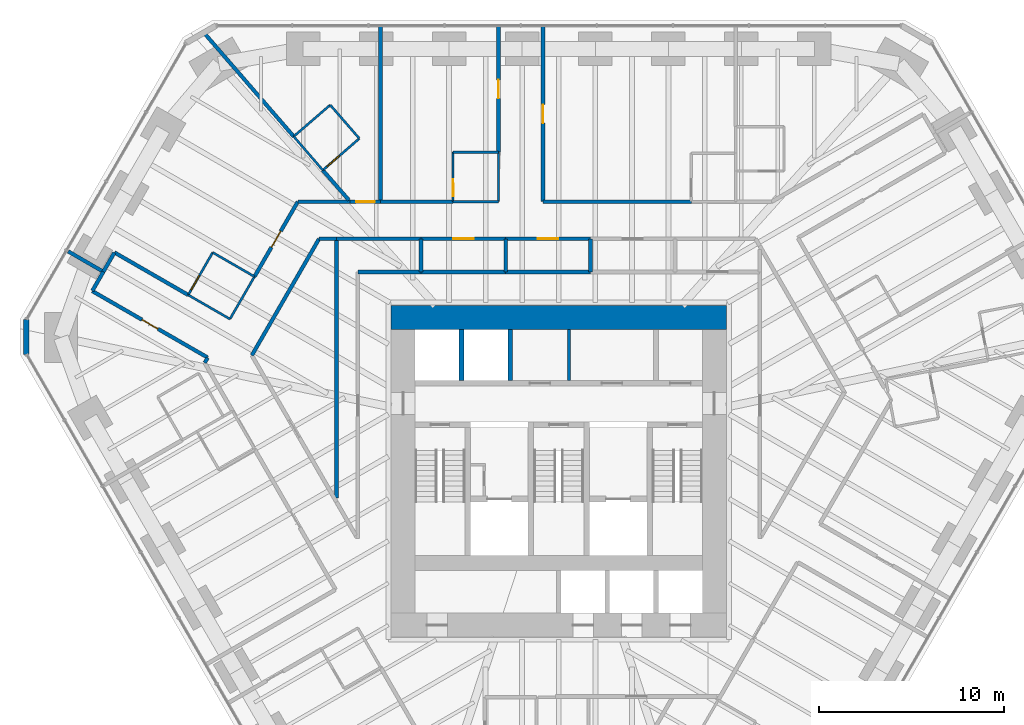
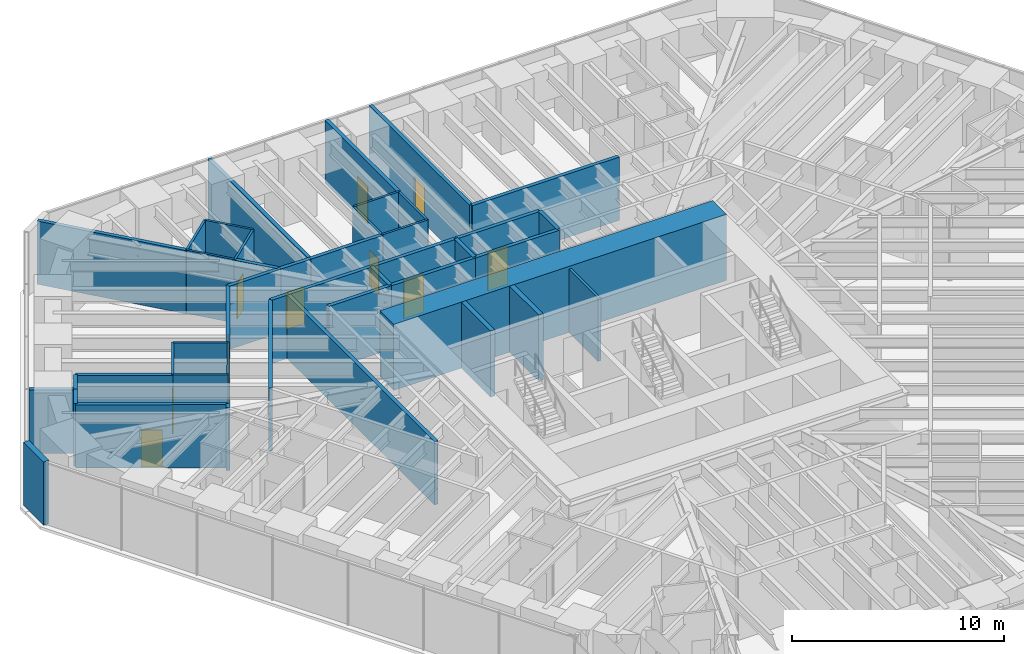
# One storey, part 14 of 17: 45 walls, 10 doors, 10 openings.
"""IFC4 building model written with IfcOpenShell, lengths in metres."""

from ifc_helpers import new_model, si_unit, direction, frame, frame_2d, origin, place, context, subcontext, project, spatial, rectangle, extrude, material, layer, layer_set, type_object, element, fill, save


model = new_model("IFC4")

# Units and contexts
model_context = context("Model", 3, precision=1e-05, world=origin(), true_north=direction((0.0, 1.0)))
body_context = subcontext(model_context, "Body", "Model", "MODEL_VIEW")
ifc_project = project(units=[si_unit("LENGTHUNIT", "METRE"), si_unit("AREAUNIT", "SQUARE_METRE"), si_unit("VOLUMEUNIT", "CUBIC_METRE"), si_unit("PLANEANGLEUNIT", "RADIAN"), si_unit("MASSUNIT", "GRAM", prefix="KILO")], contexts=[model_context])

# Site, building, storey
site_placement = place(None, origin())
site = spatial("IfcSite", under=ifc_project, at=site_placement, CompositionType="ELEMENT")
building_placement = place(site_placement, origin())
building = spatial("IfcBuilding", under=site, at=building_placement, Name="Sandreach Pilgrim Tower", CompositionType="ELEMENT")
storey_placement = place(building_placement, frame((0.0, 0.0, 142.39990234375)))
storey = spatial("IfcBuildingStorey", under=building, at=storey_placement, Name="L35", CompositionType="ELEMENT", Elevation=142.39990234375)

# Walls
ifc_material_1 = material(Name="Gypsum board on steel studs", Category="steel")
ifc_layer_1 = layer(ifc_material_1, 0.14990234375)
ifc_layer_set_1 = layer_set([ifc_layer_1], Name="Back of house wall 150")
wall_type_1 = type_object("IfcWallType", Name="Back of house wall 150", PredefinedType="PARTITIONING", material=ifc_layer_set_1)
wall_1_placement = place(storey_placement, frame((0.550048828125, 3.35009765625, 0.0), z_axis=(0.0, 0.0, 1.0), x_axis=(0.0, 1.0, 0.0)))
element("IfcWall", 1, at=wall_1_placement, inside=storey, type_object=wall_type_1, Name="Core room partition L35 1", PredefinedType="PARTITIONING", context=body_context, shape_type="SweptSolid", body=[
    extrude(rectangle(XDim=2.75, YDim=0.14990234375, at=frame_2d((1.375, 0.0))), origin(), (0.0, 0.0, 1.0), 3.64013671875),
])
ifc_material_2 = material(Name="Moisture-resistant gypsum board on steel studs", Category="steel")
ifc_layer_2 = layer(ifc_material_2, 0.1201171875)
ifc_layer_set_2 = layer_set([ifc_layer_2], Name="Bathroom partition 120")
wall_type_2 = type_object("IfcWallType", Name="Bathroom partition 120", PredefinedType="PARTITIONING", material=ifc_layer_set_2)
wall_2_placement = place(storey_placement, frame((-19.991455078125, 7.95751953125, 0.0), z_axis=(0.0, 0.0, 1.0), x_axis=(0.866404475641, -0.499342852747, 0.0)))
element("IfcWall", 2, at=wall_2_placement, inside=storey, type_object=wall_type_2, Name="Bathroom partition L35-009", PredefinedType="PARTITIONING", context=body_context, shape_type="SweptSolid", body=[
    extrude(rectangle(XDim=2.5986328125, YDim=0.1201171875, at=frame_2d((1.29931640625, 0.0))), origin(), (0.0, 0.0, 1.0), 3.64013671875),
])

# Wall, opening, door
wall_3_placement = place(storey_placement, frame((-18.669921875, 10.25, 0.0), z_axis=(0.0, 0.0, 1.0), x_axis=(-0.499407914056, -0.866366975004, 0.0)))
wall_3 = element("IfcWall", 3, at=wall_3_placement, inside=storey, type_object=wall_type_2, Name="Bathroom partition L35-016", PredefinedType="PARTITIONING", context=body_context, shape_type="SweptSolid", body=[
    extrude(rectangle(XDim=2.643310546875, YDim=0.1201171875, at=frame_2d((1.32177734375, 0.0))), origin(), (0.0, 0.0, 1.0), 3.64013671875),
])
opening_1_placement = place(wall_3_placement, frame((1.443115234375, 0.0, 0.0)))
opening_1 = element("IfcOpeningElement", 4, at=opening_1_placement, cuts=wall_3, Name="Opening D09-15B", PredefinedType="OPENING", context=body_context, shape_type="SweptSolid", body=[
    extrude(rectangle(XDim=0.89990234375, YDim=2.030029296875, at=frame_2d((0.449951171875, 1.01513671875))), frame((0.0, 0.06005859375, 0.0), z_axis=(0.0, -1.0, 0.0), x_axis=(1.0, 0.0, 0.0)), (0.0, 0.0, 1.0), 0.1201171875),
])
ifc_material_3 = material(Name="Timber door, steel frame", Category="steel")
door_type_1 = type_object("IfcDoorType", Name="Bathroom door", OperationType="SINGLE_SWING_LEFT", PredefinedType="DOOR", material=ifc_material_3)
door_1_placement = place(opening_1_placement, origin())
door_1 = element("IfcDoor", 5, at=door_1_placement, inside=storey, type_object=door_type_1, Name="Door 3515B", OperationType="SINGLE_SWING_RIGHT", OverallHeight=2.030029296875, OverallWidth=0.89990234375, PredefinedType="DOOR", context=body_context, shape_type="SweptSolid", body=[
    extrude(rectangle(XDim=0.89990234375, YDim=2.030029296875, at=frame_2d((0.449951171875, 1.01513671875))), frame((0.0, 0.02490234375, 0.0), z_axis=(0.0, -1.0, 0.0), x_axis=(1.0, 0.0, 0.0)), (0.0, 0.0, 1.0), 0.050048828125),
])
fill(opening_1, door_1)

# Walls
wall_4_placement = place(storey_placement, frame((-17.739990234375, 6.659912109375, 0.0), z_axis=(0.0, 0.0, 1.0), x_axis=(0.500519174073, 0.865725450929, 0.0)))
element("IfcWall", 6, at=wall_4_placement, inside=storey, type_object=wall_type_2, Name="Bathroom partition L35-021", PredefinedType="PARTITIONING", context=body_context, shape_type="SweptSolid", body=[
    extrude(rectangle(XDim=2.643310546875, YDim=0.1201171875, at=frame_2d((1.32177734375, 0.0))), origin(), (0.0, 0.0, 1.0), 3.64013671875),
])
wall_5_placement = place(storey_placement, frame((-16.419921875, 8.949951171875, 0.0), z_axis=(0.0, 0.0, 1.0), x_axis=(-0.865856933682, 0.500291685314, 0.0)))
element("IfcWall", 7, at=wall_5_placement, inside=storey, type_object=wall_type_2, Name="Bathroom partition L35-024", PredefinedType="PARTITIONING", context=body_context, shape_type="SweptSolid", body=[
    extrude(rectangle(XDim=2.5986328125, YDim=0.1201171875, at=frame_2d((1.29931640625, 0.0))), origin(), (0.0, 0.0, 1.0), 3.64013671875),
])
wall_6_placement = place(storey_placement, frame((-14.300048828125, 16.510009765625, 0.0), z_axis=(0.0, 0.0, 1.0), x_axis=(0.653188728136, -0.757195143563, 0.0)))
element("IfcWall", 8, at=wall_6_placement, inside=storey, type_object=wall_type_2, Name="Bathroom partition L35-027", PredefinedType="PARTITIONING", context=body_context, shape_type="SweptSolid", body=[
    extrude(rectangle(XDim=2.40380859375, YDim=0.1201171875, at=frame_2d((1.201904296875, 0.0))), origin(), (0.0, 0.0, 1.0), 3.64013671875),
])

# Wall, opening, door
wall_7_placement = place(storey_placement, frame((-12.72998046875, 14.68994140625, 0.0), z_axis=(0.0, 0.0, 1.0), x_axis=(0.755185511235, 0.655511131576, 0.0)))
wall_7 = element("IfcWall", 9, at=wall_7_placement, inside=storey, type_object=wall_type_2, Name="Bathroom partition L35-033", PredefinedType="PARTITIONING", context=body_context, shape_type="SweptSolid", body=[
    extrude(rectangle(XDim=2.608642578125, YDim=0.1201171875, at=frame_2d((1.30419921875, 0.0))), origin(), (0.0, 0.0, 1.0), 3.64013671875),
])
opening_2_placement = place(wall_7_placement, frame((0.300048828125, 0.0, 0.0)))
opening_2 = element("IfcOpeningElement", 10, at=opening_2_placement, cuts=wall_7, Name="Opening D09-01B", PredefinedType="OPENING", context=body_context, shape_type="SweptSolid", body=[
    extrude(rectangle(XDim=0.89990234375, YDim=2.030029296875, at=frame_2d((0.449951171875, 1.01513671875))), frame((0.0, 0.06005859375, 0.0), z_axis=(0.0, -1.0, 0.0), x_axis=(1.0, 0.0, 0.0)), (0.0, 0.0, 1.0), 0.1201171875),
])
door_2_placement = place(opening_2_placement, origin())
door_2 = element("IfcDoor", 11, at=door_2_placement, inside=storey, type_object=door_type_1, Name="Door 3501B", OperationType="SINGLE_SWING_LEFT", OverallHeight=2.030029296875, OverallWidth=0.89990234375, PredefinedType="DOOR", context=body_context, shape_type="SweptSolid", body=[
    extrude(rectangle(XDim=0.89990234375, YDim=2.030029296875, at=frame_2d((0.449951171875, 1.01513671875))), frame((0.0, 0.02490234375, 0.0), z_axis=(0.0, -1.0, 0.0), x_axis=(1.0, 0.0, 0.0)), (0.0, 0.0, 1.0), 0.050048828125),
])
fill(opening_2, door_2)

# Walls
wall_8_placement = place(storey_placement, frame((-12.330078125, 18.2099609375, 0.0), z_axis=(0.0, 0.0, 1.0), x_axis=(-0.757086659925, -0.653314464377, 0.0)))
element("IfcWall", 12, at=wall_8_placement, inside=storey, type_object=wall_type_2, Name="Bathroom partition L35-034", PredefinedType="PARTITIONING", context=body_context, shape_type="SweptSolid", body=[
    extrude(rectangle(XDim=2.60205078125, YDim=0.1201171875, at=frame_2d((1.301025390625, 0.0))), origin(), (0.0, 0.0, 1.0), 3.64013671875),
])
wall_9_placement = place(storey_placement, frame((-10.760009765625, 16.39990234375, 0.0), z_axis=(0.0, 0.0, 1.0), x_axis=(-0.655252439976, 0.755409981338, 0.0)))
element("IfcWall", 13, at=wall_9_placement, inside=storey, type_object=wall_type_2, Name="Bathroom partition L35-044", PredefinedType="PARTITIONING", context=body_context, shape_type="SweptSolid", body=[
    extrude(rectangle(XDim=2.396240234375, YDim=0.1201171875, at=frame_2d((1.1982421875, 0.0))), origin(), (0.0, 0.0, 1.0), 3.64013671875),
])

# Wall, opening, door
wall_10_placement = place(storey_placement, frame((-5.7099609375, 15.659912109375, 0.0), z_axis=(0.0, 0.0, 1.0), x_axis=(0.003749059241, -0.999992972253, 0.0)))
wall_10 = element("IfcWall", 14, at=wall_10_placement, inside=storey, type_object=wall_type_2, Name="Bathroom partition L35-059", PredefinedType="PARTITIONING", context=body_context, shape_type="SweptSolid", body=[
    extrude(rectangle(XDim=2.669921875, YDim=0.1201171875, at=frame_2d((1.3349609375, 0.0))), origin(), (0.0, 0.0, 1.0), 3.64013671875),
])
opening_3_placement = place(wall_10_placement, frame((1.469970703125, 0.0, 0.0)))
opening_3 = element("IfcOpeningElement", 15, at=opening_3_placement, cuts=wall_10, Name="Opening D09-02B", PredefinedType="OPENING", context=body_context, shape_type="SweptSolid", body=[
    extrude(rectangle(XDim=0.89990234375, YDim=2.030029296875, at=frame_2d((0.449951171875, 1.01513671875))), frame((0.0, 0.06005859375, 0.0), z_axis=(0.0, -1.0, 0.0), x_axis=(1.0, 0.0, 0.0)), (0.0, 0.0, 1.0), 0.1201171875),
])
door_3_placement = place(opening_3_placement, origin())
door_3 = element("IfcDoor", 16, at=door_3_placement, inside=storey, type_object=door_type_1, Name="Door 3502B", OperationType="SINGLE_SWING_RIGHT", OverallHeight=2.030029296875, OverallWidth=0.89990234375, PredefinedType="DOOR", context=body_context, shape_type="SweptSolid", body=[
    extrude(rectangle(XDim=0.89990234375, YDim=2.030029296875, at=frame_2d((0.449951171875, 1.01513671875))), frame((0.0, 0.02490234375, 0.0), z_axis=(0.0, -1.0, 0.0), x_axis=(1.0, 0.0, 0.0)), (0.0, 0.0, 1.0), 0.050048828125),
])
fill(opening_3, door_3)

# Walls
wall_11_placement = place(storey_placement, frame((-3.25, 12.989990234375, 0.0), z_axis=(0.0, 0.0, 1.0), x_axis=(-1.0, 0.0, 0.0)))
element("IfcWall", 17, at=wall_11_placement, inside=storey, type_object=wall_type_2, Name="Bathroom partition L35-065", PredefinedType="PARTITIONING", context=body_context, shape_type="SweptSolid", body=[
    extrude(rectangle(XDim=2.449951171875, YDim=0.1201171875, at=frame_2d((1.22509765625, 0.0))), origin(), (0.0, 0.0, 1.0), 3.64013671875),
])
wall_12_placement = place(storey_placement, frame((-3.25, 15.659912109375, 0.0), z_axis=(0.0, 0.0, 1.0), x_axis=(-1.0, 0.0, 0.0)))
element("IfcWall", 18, at=wall_12_placement, inside=storey, type_object=wall_type_2, Name="Bathroom partition L35-066", PredefinedType="PARTITIONING", context=body_context, shape_type="SweptSolid", body=[
    extrude(rectangle(XDim=2.4599609375, YDim=0.1201171875, at=frame_2d((1.22998046875, 0.0))), origin(), (0.0, 0.0, 1.0), 3.64013671875),
])
wall_13_placement = place(storey_placement, frame((-3.25, 15.659912109375, 0.0), z_axis=(0.0, 0.0, 1.0), x_axis=(0.0, -1.0, 0.0)))
element("IfcWall", 19, at=wall_13_placement, inside=storey, type_object=wall_type_2, Name="Bathroom partition L35-067", PredefinedType="PARTITIONING", context=body_context, shape_type="SweptSolid", body=[
    extrude(rectangle(XDim=2.669921875, YDim=0.1201171875, at=frame_2d((1.3349609375, 0.0))), origin(), (0.0, 0.0, 1.0), 3.64013671875),
])
ifc_material_4 = material(Name="Concrete 10000 psi", Category="concrete")
ifc_layer_3 = layer(ifc_material_4, 1.300048828125)
ifc_layer_set_3 = layer_set([ifc_layer_3], Name="Core wall 1300")
wall_type_3 = type_object("IfcWallType", Name="Core wall 1300", PredefinedType="SHEAR", material=ifc_layer_set_3)
wall_14_placement = place(storey_placement, frame((-9.050048828125, 6.75, 0.0), z_axis=(0.0, 0.0, 1.0), x_axis=(1.0, 0.0, 0.0)))
element("IfcWall", 20, at=wall_14_placement, inside=storey, type_object=wall_type_3, Name="Core wall N L35", PredefinedType="SHEAR", context=body_context, shape_type="SweptSolid", body=[
    extrude(rectangle(XDim=18.10009765625, YDim=1.300048828125, at=frame_2d((9.050048828125, 0.0))), origin(), (0.0, 0.0, 1.0), 3.800048828125),
])

# Wall, opening, door
ifc_material_5 = material(Name="Gypsum board on steel studs, two layers each side", Category="steel")
ifc_layer_4 = layer(ifc_material_5, 0.199951171875)
ifc_layer_set_4 = layer_set([ifc_layer_4], Name="Corridor wall 200")
wall_type_4 = type_object("IfcWallType", Name="Corridor wall 200", PredefinedType="PARTITIONING", material=ifc_layer_set_4)
wall_15_placement = place(storey_placement, frame((-25.169921875, 8.169921875, 0.0), z_axis=(0.0, 0.0, 1.0), x_axis=(0.866448885678, -0.499265789443, 0.0)))
wall_15 = element("IfcWall", 21, at=wall_15_placement, inside=storey, type_object=wall_type_4, Name="Corridor wall L35-002", PredefinedType="PARTITIONING", context=body_context, shape_type="SweptSolid", body=[
    extrude(rectangle(XDim=7.190185546875, YDim=0.199951171875, at=frame_2d((3.59521484375, 0.0))), origin(), (0.0, 0.0, 1.0), 3.64013671875),
])
opening_4_placement = place(wall_15_placement, frame((3.09521484375, 0.0, 0.0)))
opening_4 = element("IfcOpeningElement", 22, at=opening_4_placement, cuts=wall_15, Name="Opening D10-14", PredefinedType="OPENING", context=body_context, shape_type="SweptSolid", body=[
    extrude(rectangle(XDim=1.0, YDim=2.1298828125, at=frame_2d((0.5, 1.06494140625))), frame((0.0, 0.10009765625, 0.0), z_axis=(0.0, -1.0, 0.0), x_axis=(1.0, 0.0, 0.0)), (0.0, 0.0, 1.0), 0.199951171875),
])
ifc_material_6 = material(Name="Steel door and frame", Category="steel")
door_type_2 = type_object("IfcDoorType", Name="Guest room entry door", OperationType="SINGLE_SWING_LEFT", PredefinedType="DOOR", material=ifc_material_6)
door_4_placement = place(opening_4_placement, origin())
door_4 = element("IfcDoor", 23, at=door_4_placement, inside=storey, type_object=door_type_2, Name="Door 3514", OperationType="SINGLE_SWING_LEFT", OverallHeight=2.1298828125, OverallWidth=1.0, PredefinedType="DOOR", context=body_context, shape_type="SweptSolid", body=[
    extrude(rectangle(XDim=1.0, YDim=2.1298828125, at=frame_2d((0.5, 1.06494140625))), frame((0.0, 0.02490234375, 0.0), z_axis=(0.0, -1.0, 0.0), x_axis=(1.0, 0.0, 0.0)), (0.0, 0.0, 1.0), 0.050048828125),
])
fill(opening_4, door_4)

# Walls
wall_16_placement = place(storey_placement, frame((-25.16259765625, 8.18310546875, 0.0), z_axis=(0.0, 0.0, 1.0), x_axis=(0.499793761865, 0.866144442689, 0.0)))
element("IfcWall", 24, at=wall_16_placement, inside=storey, type_object=wall_type_4, Name="Corridor wall L35-003", PredefinedType="PARTITIONING", context=body_context, shape_type="SweptSolid", body=[
    extrude(rectangle(XDim=1.185546875, YDim=0.199951171875, at=frame_2d((0.5927734375, 0.0))), origin(), (0.0, 0.0, 1.0), 3.64013671875),
])
wall_17_placement = place(storey_placement, frame((-24.570068359375, 9.2099609375, 0.0), z_axis=(0.0, 0.0, 1.0), x_axis=(0.499734288277, 0.866178758179, 0.0)))
element("IfcWall", 25, at=wall_17_placement, inside=storey, type_object=wall_type_4, Name="Corridor wall L35-004", PredefinedType="PARTITIONING", context=body_context, shape_type="SweptSolid", body=[
    extrude(rectangle(XDim=1.190673828125, YDim=0.199951171875, at=frame_2d((0.59521484375, 0.0))), origin(), (0.0, 0.0, 1.0), 3.64013671875),
])
wall_18_placement = place(storey_placement, frame((-23.969970703125, 10.25, 0.0), z_axis=(0.0, 0.0, 1.0), x_axis=(0.86645101645, -0.499262091585, 0.0)))
element("IfcWall", 26, at=wall_18_placement, inside=storey, type_object=wall_type_4, Name="Corridor wall L35-006", PredefinedType="PARTITIONING", context=body_context, shape_type="SweptSolid", body=[
    extrude(rectangle(XDim=4.591796875, YDim=0.199951171875, at=frame_2d((2.2958984375, 0.0))), origin(), (0.0, 0.0, 1.0), 3.64013671875),
])
wall_19_placement = place(storey_placement, frame((-18.945068359375, 4.5712890625, 0.0), z_axis=(0.0, 0.0, 1.0), x_axis=(-0.496223092577, -0.868195048588, 0.0)))
element("IfcWall", 27, at=wall_19_placement, inside=storey, type_object=wall_type_4, Name="Corridor wall L35-015", PredefinedType="PARTITIONING", context=body_context, shape_type="SweptSolid", body=[
    extrude(rectangle(XDim=0.3125, YDim=0.199951171875, at=frame_2d((0.15625, 0.0))), origin(), (0.0, 0.0, 1.0), 3.64013671875),
])
wall_20_placement = place(storey_placement, frame((-16.56005859375, 4.699951171875, 0.0), z_axis=(0.0, 0.0, 1.0), x_axis=(0.4998524389, 0.866110581465, 0.0)))
element("IfcWall", 28, at=wall_20_placement, inside=storey, type_object=wall_type_4, Name="Corridor wall L35-023", PredefinedType="PARTITIONING", context=body_context, shape_type="SweptSolid", body=[
    extrude(rectangle(XDim=7.262451171875, YDim=0.199951171875, at=frame_2d((3.63134765625, 0.0))), origin(), (0.0, 0.0, 1.0), 3.64013671875),
])

# Wall, opening, door
wall_21_placement = place(storey_placement, frame((-16.4169921875, 8.9482421875, 0.0), z_axis=(0.0, 0.0, 1.0), x_axis=(0.500547653499, 0.865708984923, 0.0)))
wall_21 = element("IfcWall", 29, at=wall_21_placement, inside=storey, type_object=wall_type_4, Name="Corridor wall L35-025", PredefinedType="PARTITIONING", context=body_context, shape_type="SweptSolid", body=[
    extrude(rectangle(XDim=4.668701171875, YDim=0.199951171875, at=frame_2d((2.33447265625, 0.0))), origin(), (0.0, 0.0, 1.0), 3.64013671875),
])
opening_5_placement = place(wall_21_placement, frame((1.834228515625, 0.0, 0.0)))
opening_5 = element("IfcOpeningElement", 30, at=opening_5_placement, cuts=wall_21, Name="Opening D10-15", PredefinedType="OPENING", context=body_context, shape_type="SweptSolid", body=[
    extrude(rectangle(XDim=1.0, YDim=2.1298828125, at=frame_2d((0.5, 1.06494140625))), frame((0.0, 0.10009765625, 0.0), z_axis=(0.0, -1.0, 0.0), x_axis=(1.0, 0.0, 0.0)), (0.0, 0.0, 1.0), 0.199951171875),
])
door_5_placement = place(opening_5_placement, origin())
door_5 = element("IfcDoor", 31, at=door_5_placement, inside=storey, type_object=door_type_2, Name="Door 3515", OperationType="SINGLE_SWING_LEFT", OverallHeight=2.1298828125, OverallWidth=1.0, PredefinedType="DOOR", context=body_context, shape_type="SweptSolid", body=[
    extrude(rectangle(XDim=1.0, YDim=2.1298828125, at=frame_2d((0.5, 1.06494140625))), frame((0.0, 0.02490234375, 0.0), z_axis=(0.0, -1.0, 0.0), x_axis=(1.0, 0.0, 0.0)), (0.0, 0.0, 1.0), 0.050048828125),
])
fill(opening_5, door_5)

# Walls
wall_22_placement = place(storey_placement, frame((-12.929931640625, 10.989990234375, 0.0), z_axis=(0.0, 0.0, 1.0), x_axis=(1.0, 0.0, 0.0)))
element("IfcWall", 32, at=wall_22_placement, inside=storey, type_object=wall_type_4, Name="Corridor wall L35-029", PredefinedType="PARTITIONING", context=body_context, shape_type="SweptSolid", body=[
    extrude(rectangle(XDim=0.93994140625, YDim=0.199951171875, at=frame_2d((0.469970703125, 0.0))), origin(), (0.0, 0.0, 1.0), 3.64013671875),
])
wall_23_placement = place(storey_placement, frame((-11.989990234375, 10.989990234375, 0.0), z_axis=(0.0, 0.0, 1.0), x_axis=(1.0, 0.0, 0.0)))
element("IfcWall", 33, at=wall_23_placement, inside=storey, type_object=wall_type_4, Name="Corridor wall L35-038", PredefinedType="PARTITIONING", context=body_context, shape_type="SweptSolid", body=[
    extrude(rectangle(XDim=4.56005859375, YDim=0.199951171875, at=frame_2d((2.280029296875, 0.0))), origin(), (0.0, 0.0, 1.0), 3.64013671875),
])
wall_24_placement = place(storey_placement, frame((-11.25, 12.989990234375, 0.0), z_axis=(0.0, 0.0, 1.0), x_axis=(-1.0, 0.0, 0.0)))
element("IfcWall", 34, at=wall_24_placement, inside=storey, type_object=wall_type_4, Name="Corridor wall L35-040", PredefinedType="PARTITIONING", context=body_context, shape_type="SweptSolid", body=[
    extrude(rectangle(XDim=2.830078125, YDim=0.199951171875, at=frame_2d((1.4150390625, 0.0))), origin(), (0.0, 0.0, 1.0), 3.64013671875),
])

# Wall, opening, door
wall_25_placement = place(storey_placement, frame((-9.6201171875, 12.989990234375, 0.0), z_axis=(0.0, 0.0, 1.0), x_axis=(-1.0, 0.0, 0.0)))
wall_25 = element("IfcWall", 35, at=wall_25_placement, inside=storey, type_object=wall_type_4, Name="Corridor wall L35-046", PredefinedType="PARTITIONING", context=body_context, shape_type="SweptSolid", body=[
    extrude(rectangle(XDim=1.6298828125, YDim=0.199951171875, at=frame_2d((0.81494140625, 0.0))), origin(), (0.0, 0.0, 1.0), 3.64013671875),
])
opening_6_placement = place(wall_25_placement, frame((0.31494140625, 0.0, 0.0)))
opening_6 = element("IfcOpeningElement", 36, at=opening_6_placement, cuts=wall_25, Name="Opening D10-01", PredefinedType="OPENING", context=body_context, shape_type="SweptSolid", body=[
    extrude(rectangle(XDim=1.0, YDim=2.1298828125, at=frame_2d((0.5, 1.06494140625))), frame((0.0, 0.10009765625, 0.0), z_axis=(0.0, -1.0, 0.0), x_axis=(1.0, 0.0, 0.0)), (0.0, 0.0, 1.0), 0.199951171875),
])
door_6_placement = place(opening_6_placement, origin())
door_6 = element("IfcDoor", 37, at=door_6_placement, inside=storey, type_object=door_type_2, Name="Door 3501", OperationType="SINGLE_SWING_LEFT", OverallHeight=2.1298828125, OverallWidth=1.0, PredefinedType="DOOR", context=body_context, shape_type="SweptSolid", body=[
    extrude(rectangle(XDim=1.0, YDim=2.1298828125, at=frame_2d((0.5, 1.06494140625))), frame((0.0, 0.02490234375, 0.0), z_axis=(0.0, -1.0, 0.0), x_axis=(1.0, 0.0, 0.0)), (0.0, 0.0, 1.0), 0.050048828125),
])
fill(opening_6, door_6)

# Wall
wall_26_placement = place(storey_placement, frame((-7.429931640625, 9.199951171875, 0.0), z_axis=(0.0, 0.0, 1.0), x_axis=(-1.0, 0.0, 0.0)))
element("IfcWall", 38, at=wall_26_placement, inside=storey, type_object=wall_type_4, Name="Corridor wall L35-052", PredefinedType="PARTITIONING", context=body_context, shape_type="SweptSolid", body=[
    extrude(rectangle(XDim=3.41015625, YDim=0.199951171875, at=frame_2d((1.705078125, 0.0))), origin(), (0.0, 0.0, 1.0), 3.64013671875),
])

# Wall, opening, door
wall_27_placement = place(storey_placement, frame((-7.429931640625, 10.989990234375, 0.0), z_axis=(0.0, 0.0, 1.0), x_axis=(1.0, 0.0, 0.0)))
wall_27 = element("IfcWall", 39, at=wall_27_placement, inside=storey, type_object=wall_type_4, Name="Corridor wall L35-054", PredefinedType="PARTITIONING", context=body_context, shape_type="SweptSolid", body=[
    extrude(rectangle(XDim=4.56982421875, YDim=0.199951171875, at=frame_2d((2.284912109375, 0.0))), origin(), (0.0, 0.0, 1.0), 3.64013671875),
])
opening_7_placement = place(wall_27_placement, frame((1.735107421875, 0.0, 0.0)))
opening_7 = element("IfcOpeningElement", 40, at=opening_7_placement, cuts=wall_27, Name="Opening D11H-M03", PredefinedType="OPENING", context=body_context, shape_type="SweptSolid", body=[
    extrude(rectangle(XDim=1.10009765625, YDim=2.199951171875, at=frame_2d((0.550048828125, 1.10009765625))), frame((0.0, 0.10009765625, 0.0), z_axis=(0.0, -1.0, 0.0), x_axis=(1.0, 0.0, 0.0)), (0.0, 0.0, 1.0), 0.199951171875),
])
ifc_material_7 = material(Name="Steel door and frame", Category="steel")
door_type_3 = type_object("IfcDoorType", Name="Back of house door", OperationType="SINGLE_SWING_LEFT", PredefinedType="DOOR", material=ifc_material_7)
door_7_placement = place(opening_7_placement, origin())
door_7 = element("IfcDoor", 41, at=door_7_placement, inside=storey, type_object=door_type_3, Name="Door 35M03", OperationType="SINGLE_SWING_LEFT", OverallHeight=2.199951171875, OverallWidth=1.10009765625, PredefinedType="DOOR", context=body_context, shape_type="SweptSolid", body=[
    extrude(rectangle(XDim=1.10009765625, YDim=2.199951171875, at=frame_2d((0.550048828125, 1.10009765625))), frame((0.0, 0.02490234375, 0.0), z_axis=(0.0, -1.0, 0.0), x_axis=(1.0, 0.0, 0.0)), (0.0, 0.0, 1.0), 0.050048828125),
])
fill(opening_7, door_7)

# Wall
wall_28_placement = place(storey_placement, frame((-5.699951171875, 12.989990234375, 0.0), z_axis=(0.0, 0.0, 1.0), x_axis=(-1.0, 0.0, 0.0)))
element("IfcWall", 42, at=wall_28_placement, inside=storey, type_object=wall_type_4, Name="Corridor wall L35-060", PredefinedType="PARTITIONING", context=body_context, shape_type="SweptSolid", body=[
    extrude(rectangle(XDim=3.920166015625, YDim=0.199951171875, at=frame_2d((1.9599609375, 0.0))), origin(), (0.0, 0.0, 1.0), 3.64013671875),
])

# Wall, opening, door
wall_29_placement = place(storey_placement, frame((-3.25, 22.4599609375, 0.0), z_axis=(0.0, 0.0, 1.0), x_axis=(0.0, -1.0, 0.0)))
wall_29 = element("IfcWall", 43, at=wall_29_placement, inside=storey, type_object=wall_type_4, Name="Corridor wall L35-068", PredefinedType="PARTITIONING", context=body_context, shape_type="SweptSolid", body=[
    extrude(rectangle(XDim=6.800048828125, YDim=0.199951171875, at=frame_2d((3.39990234375, 0.0))), origin(), (0.0, 0.0, 1.0), 3.64013671875),
])
opening_8_placement = place(wall_29_placement, frame((2.89990234375, 0.0, 0.0)))
opening_8 = element("IfcOpeningElement", 44, at=opening_8_placement, cuts=wall_29, Name="Opening D10-02", PredefinedType="OPENING", context=body_context, shape_type="SweptSolid", body=[
    extrude(rectangle(XDim=1.0, YDim=2.1298828125, at=frame_2d((0.5, 1.06494140625))), frame((0.0, 0.10009765625, 0.0), z_axis=(0.0, -1.0, 0.0), x_axis=(1.0, 0.0, 0.0)), (0.0, 0.0, 1.0), 0.199951171875),
])
door_8_placement = place(opening_8_placement, origin())
door_8 = element("IfcDoor", 45, at=door_8_placement, inside=storey, type_object=door_type_2, Name="Door 3502", OperationType="SINGLE_SWING_LEFT", OverallHeight=2.1298828125, OverallWidth=1.0, PredefinedType="DOOR", context=body_context, shape_type="SweptSolid", body=[
    extrude(rectangle(XDim=1.0, YDim=2.1298828125, at=frame_2d((0.5, 1.06494140625))), frame((0.0, 0.02490234375, 0.0), z_axis=(0.0, -1.0, 0.0), x_axis=(1.0, 0.0, 0.0)), (0.0, 0.0, 1.0), 0.050048828125),
])
fill(opening_8, door_8)

# Wall
wall_30_placement = place(storey_placement, frame((-2.860107421875, 9.199951171875, 0.0), z_axis=(0.0, 0.0, 1.0), x_axis=(-1.0, 0.0, 0.0)))
element("IfcWall", 46, at=wall_30_placement, inside=storey, type_object=wall_type_4, Name="Corridor wall L35-069", PredefinedType="PARTITIONING", context=body_context, shape_type="SweptSolid", body=[
    extrude(rectangle(XDim=4.56982421875, YDim=0.199951171875, at=frame_2d((2.284912109375, 0.0))), origin(), (0.0, 0.0, 1.0), 3.64013671875),
])

# Wall, opening, door
wall_31_placement = place(storey_placement, frame((-2.860107421875, 10.989990234375, 0.0), z_axis=(0.0, 0.0, 1.0), x_axis=(1.0, 0.0, 0.0)))
wall_31 = element("IfcWall", 47, at=wall_31_placement, inside=storey, type_object=wall_type_4, Name="Corridor wall L35-071", PredefinedType="PARTITIONING", context=body_context, shape_type="SweptSolid", body=[
    extrude(rectangle(XDim=4.570068359375, YDim=0.199951171875, at=frame_2d((2.28515625, 0.0))), origin(), (0.0, 0.0, 1.0), 3.64013671875),
])
opening_9_placement = place(wall_31_placement, frame((1.735107421875, 0.0, 0.0)))
opening_9 = element("IfcOpeningElement", 48, at=opening_9_placement, cuts=wall_31, Name="Opening D11H-M04", PredefinedType="OPENING", context=body_context, shape_type="SweptSolid", body=[
    extrude(rectangle(XDim=1.10009765625, YDim=2.199951171875, at=frame_2d((0.550048828125, 1.10009765625))), frame((0.0, 0.10009765625, 0.0), z_axis=(0.0, -1.0, 0.0), x_axis=(1.0, 0.0, 0.0)), (0.0, 0.0, 1.0), 0.199951171875),
])
door_9_placement = place(opening_9_placement, origin())
door_9 = element("IfcDoor", 49, at=door_9_placement, inside=storey, type_object=door_type_3, Name="Door 35M04", OperationType="SINGLE_SWING_LEFT", OverallHeight=2.199951171875, OverallWidth=1.10009765625, PredefinedType="DOOR", context=body_context, shape_type="SweptSolid", body=[
    extrude(rectangle(XDim=1.10009765625, YDim=2.199951171875, at=frame_2d((0.550048828125, 1.10009765625))), frame((0.0, 0.02490234375, 0.0), z_axis=(0.0, -1.0, 0.0), x_axis=(1.0, 0.0, 0.0)), (0.0, 0.0, 1.0), 0.050048828125),
])
fill(opening_9, door_9)

wall_32_placement = place(storey_placement, frame((-0.85009765625, 12.989990234375, 0.0), z_axis=(0.0, 0.0, 1.0), x_axis=(0.0, 1.0, 0.0)))
wall_32 = element("IfcWall", 50, at=wall_32_placement, inside=storey, type_object=wall_type_4, Name="Corridor wall L35-075", PredefinedType="PARTITIONING", context=body_context, shape_type="SweptSolid", body=[
    extrude(rectangle(XDim=9.469970703125, YDim=0.199951171875, at=frame_2d((4.73486328125, 0.0))), origin(), (0.0, 0.0, 1.0), 3.64013671875),
])
opening_10_placement = place(wall_32_placement, frame((4.235107421875, 0.0, 0.0)))
opening_10 = element("IfcOpeningElement", 51, at=opening_10_placement, cuts=wall_32, Name="Opening D10-03", PredefinedType="OPENING", context=body_context, shape_type="SweptSolid", body=[
    extrude(rectangle(XDim=1.0, YDim=2.1298828125, at=frame_2d((0.5, 1.06494140625))), frame((0.0, 0.10009765625, 0.0), z_axis=(0.0, -1.0, 0.0), x_axis=(1.0, 0.0, 0.0)), (0.0, 0.0, 1.0), 0.199951171875),
])
door_10_placement = place(opening_10_placement, origin())
door_10 = element("IfcDoor", 52, at=door_10_placement, inside=storey, type_object=door_type_2, Name="Door 3503", OperationType="SINGLE_SWING_LEFT", OverallHeight=2.1298828125, OverallWidth=1.0, PredefinedType="DOOR", context=body_context, shape_type="SweptSolid", body=[
    extrude(rectangle(XDim=1.0, YDim=2.1298828125, at=frame_2d((0.5, 1.06494140625))), frame((0.0, 0.02490234375, 0.0), z_axis=(0.0, -1.0, 0.0), x_axis=(1.0, 0.0, 0.0)), (0.0, 0.0, 1.0), 0.050048828125),
])
fill(opening_10, door_10)

# Walls
wall_33_placement = place(storey_placement, frame((1.7099609375, 9.199951171875, 0.0), z_axis=(0.0, 0.0, 1.0), x_axis=(-1.0, 0.0, 0.0)))
element("IfcWall", 53, at=wall_33_placement, inside=storey, type_object=wall_type_4, Name="Corridor wall L35-080", PredefinedType="PARTITIONING", context=body_context, shape_type="SweptSolid", body=[
    extrude(rectangle(XDim=4.570068359375, YDim=0.199951171875, at=frame_2d((2.28515625, 0.0))), origin(), (0.0, 0.0, 1.0), 3.64013671875),
])
wall_34_placement = place(storey_placement, frame((7.14990234375, 12.989990234375, 0.0), z_axis=(0.0, 0.0, 1.0), x_axis=(-1.0, 0.0, 0.0)))
element("IfcWall", 54, at=wall_34_placement, inside=storey, type_object=wall_type_4, Name="Corridor wall L35-099", PredefinedType="PARTITIONING", context=body_context, shape_type="SweptSolid", body=[
    extrude(rectangle(XDim=7.989990234375, YDim=0.199951171875, at=frame_2d((3.9951171875, 0.0))), origin(), (0.0, 0.0, 1.0), 3.64013671875),
])
ifc_material_8 = material(Name="Double steel stud acoustic wall, gypsum board", Category="steel")
ifc_layer_5 = layer(ifc_material_8, 0.199951171875)
ifc_layer_set_5 = layer_set([ifc_layer_5], Name="Party wall 200")
wall_type_5 = type_object("IfcWallType", Name="Party wall 200", PredefinedType="PARTITIONING", material=ifc_layer_set_5)
wall_35_placement = place(storey_placement, frame((-26.46630859375, 10.309814453125, 0.0), z_axis=(0.0, 0.0, 1.0), x_axis=(0.865037029405, -0.501708020425, 0.0)))
element("IfcWall", 55, at=wall_35_placement, inside=storey, type_object=wall_type_5, Name="Party wall L35-001", PredefinedType="PARTITIONING", context=body_context, shape_type="SweptSolid", body=[
    extrude(rectangle(XDim=2.17724609375, YDim=0.199951171875, at=frame_2d((1.088623046875, 0.0))), origin(), (0.0, 0.0, 1.0), 3.64013671875),
])
wall_36_placement = place(storey_placement, frame((-19.160400390625, 22.127197265625, 0.0), z_axis=(0.0, 0.0, 1.0), x_axis=(0.654324699903, -0.756213717871, 0.0)))
element("IfcWall", 56, at=wall_36_placement, inside=storey, type_object=wall_type_5, Name="Party wall L35-013", PredefinedType="PARTITIONING", context=body_context, shape_type="SweptSolid", body=[
    extrude(rectangle(XDim=7.427978515625, YDim=0.199951171875, at=frame_2d((3.7138671875, 0.0))), origin(), (0.0, 0.0, 1.0), 3.64013671875),
])
wall_37_placement = place(storey_placement, frame((-12.72998046875, 14.68994140625, 0.0), z_axis=(0.0, 0.0, 1.0), x_axis=(0.656624063312, -0.754218031792, 0.0)))
element("IfcWall", 57, at=wall_37_placement, inside=storey, type_object=wall_type_5, Name="Party wall L35-032", PredefinedType="PARTITIONING", context=body_context, shape_type="SweptSolid", body=[
    extrude(rectangle(XDim=2.143798828125, YDim=0.199951171875, at=frame_2d((1.07177734375, 0.0))), origin(), (0.0, 0.0, 1.0), 3.64013671875),
])
wall_38_placement = place(storey_placement, frame((-11.989990234375, 10.97998046875, 0.0), z_axis=(0.0, 0.0, 1.0), x_axis=(0.0, -1.0, 0.0)))
element("IfcWall", 58, at=wall_38_placement, inside=storey, type_object=wall_type_5, Name="Party wall L35-037", PredefinedType="PARTITIONING", context=body_context, shape_type="SweptSolid", body=[
    extrude(rectangle(XDim=13.97998046875, YDim=0.199951171875, at=frame_2d((6.989990234375, 0.0))), origin(), (0.0, 0.0, 1.0), 3.64013671875),
])
wall_39_placement = place(storey_placement, frame((-9.6201171875, 22.4599609375, 0.0), z_axis=(0.0, 0.0, 1.0), x_axis=(0.0, -1.0, 0.0)))
element("IfcWall", 59, at=wall_39_placement, inside=storey, type_object=wall_type_5, Name="Party wall L35-047", PredefinedType="PARTITIONING", context=body_context, shape_type="SweptSolid", body=[
    extrude(rectangle(XDim=9.455078125, YDim=0.199951171875, at=frame_2d((4.7275390625, 0.0))), origin(), (0.0, 0.0, 1.0), 3.64013671875),
])
wall_40_placement = place(storey_placement, frame((-7.429931640625, 10.97509765625, 0.0), z_axis=(0.0, 0.0, 1.0), x_axis=(0.0, -1.0, 0.0)))
element("IfcWall", 60, at=wall_40_placement, inside=storey, type_object=wall_type_5, Name="Party wall L35-053", PredefinedType="PARTITIONING", context=body_context, shape_type="SweptSolid", body=[
    extrude(rectangle(XDim=1.76513671875, YDim=0.199951171875, at=frame_2d((0.882568359375, 0.0))), origin(), (0.0, 0.0, 1.0), 3.64013671875),
])
for number, where, z_axis, x_axis, name in (
    (61, (-2.860107421875, 10.97998046875, 0.0), (0.0, 0.0, 1.0), (0.0, -1.0, 0.0), "Party wall L35-070"),
    (62, (1.7099609375, 10.97998046875, 0.0), (0.0, 0.0, 1.0), (0.0, -1.0, 0.0), "Party wall L35-081"),
):
    element("IfcWall", number, at=place(storey_placement, frame(where, z_axis=z_axis, x_axis=x_axis)), inside=storey, type_object=wall_type_5, Name=name, PredefinedType="PARTITIONING", context=body_context, shape_type="SweptSolid", body=[
        extrude(rectangle(XDim=1.77001953125, YDim=0.199951171875, at=frame_2d((0.885009765625, 0.0))), origin(), (0.0, 0.0, 1.0), 3.64013671875),
    ])
ifc_material_9 = material(Name="Gypsum shaft wall on steel studs, two layers of shaft liner board", Category="steel")
ifc_layer_6 = layer(ifc_material_9, 0.25)
ifc_layer_set_6 = layer_set([ifc_layer_6], Name="Shaft partition 250")
wall_type_6 = type_object("IfcWallType", Name="Shaft partition 250", PredefinedType="PARTITIONING", material=ifc_layer_set_6)
for number, where, z_axis, x_axis, name in (
    (63, (-5.25, 3.35009765625, 0.0), (0.0, 0.0, 1.0), (0.0, 1.0, 0.0), "Shaft partition NS0 L35"),
    (64, (-2.625, 3.35009765625, 0.0), (0.0, 0.0, 1.0), (0.0, 1.0, 0.0), "Shaft partition NS1 L35"),
):
    element("IfcWall", number, at=place(storey_placement, frame(where, z_axis=z_axis, x_axis=x_axis)), inside=storey, type_object=wall_type_6, Name=name, PredefinedType="PARTITIONING", context=body_context, shape_type="SweptSolid", body=[
        extrude(rectangle(XDim=2.75, YDim=0.25, at=frame_2d((1.375, 0.0))), origin(), (0.0, 0.0, 1.0), 3.800048828125),
    ])
ifc_material_10 = material(Name="Terracotta rainscreen on concrete", Category="masonry")
ifc_layer_7 = layer(ifc_material_10, 0.300048828125)
ifc_layer_set_7 = layer_set([ifc_layer_7], Name="Terracotta chamfer pier")
wall_type_7 = type_object("IfcWallType", Name="Terracotta chamfer pier", PredefinedType="SOLIDWALL", material=ifc_layer_set_7)
wall_41_placement = place(storey_placement, frame((-28.720947265625, 4.758544921875, 0.0), z_axis=(0.0, 0.0, 1.0), x_axis=(0.0, 1.0, 0.0)))
element("IfcWall", 65, at=wall_41_placement, inside=storey, type_object=wall_type_7, Name="Chamfer pier L35 SW", PredefinedType="SOLIDWALL", context=body_context, shape_type="SweptSolid", body=[
    extrude(rectangle(XDim=1.8798828125, YDim=0.300048828125, at=frame_2d((0.93994140625, 0.0))), origin(), (0.0, 0.0, 1.0), 3.64013671875),
])

save(model, "model.ifc")
